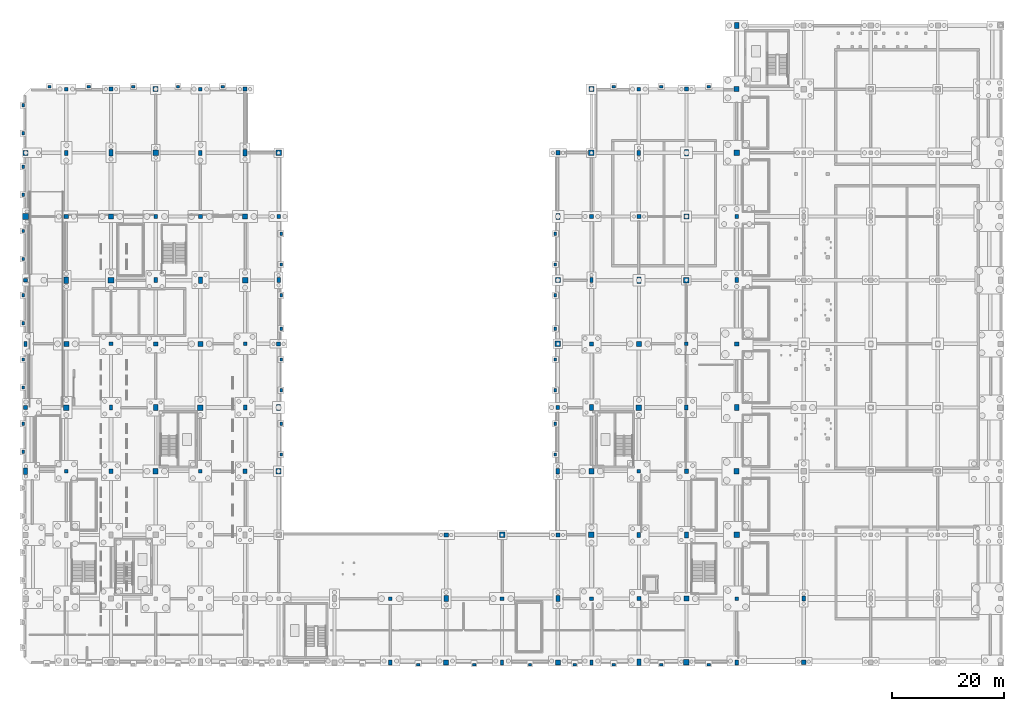
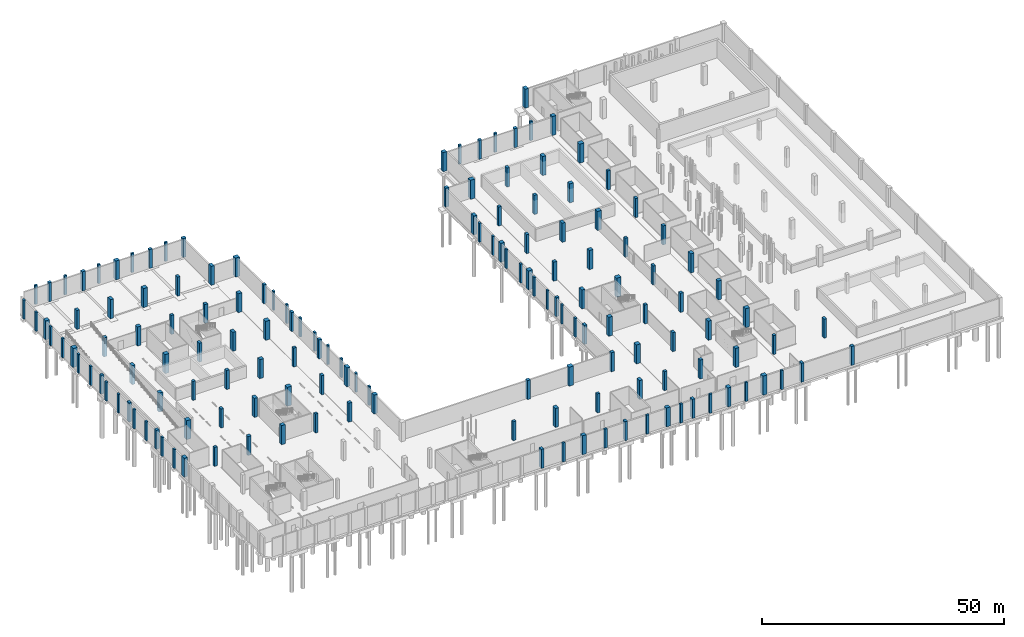
# One storey, part 13 of 34: 150 columns.
"""IFC4 building model written with IfcOpenShell, lengths in metres."""

from ifc_helpers import new_model, si_unit, direction, frame, origin, origin_2d, place, context, subcontext, project, spatial, rectangle, extrude, material, material_profile, profile_set, type_object, element, save


model = new_model("IFC4")

# Units and contexts
model_context = context("Model", 3, precision=1e-05, world=origin(), true_north=direction((0.0, 1.0)))
body_context = subcontext(model_context, "Body", "Model", "MODEL_VIEW")
ifc_project = project(units=[si_unit("LENGTHUNIT", "METRE"), si_unit("AREAUNIT", "SQUARE_METRE"), si_unit("VOLUMEUNIT", "CUBIC_METRE"), si_unit("PLANEANGLEUNIT", "RADIAN"), si_unit("MASSUNIT", "GRAM", prefix="KILO"), si_unit("POWERUNIT", "WATT"), si_unit("THERMODYNAMICTEMPERATUREUNIT", "KELVIN")], contexts=[model_context])

# Site, building, storey
site_placement = place(None, origin())
site = spatial("IfcSite", under=ifc_project, at=site_placement, CompositionType="ELEMENT")
building_placement = place(site_placement, origin())
building = spatial("IfcBuilding", under=site, at=building_placement, Name="Kelmbourne Parkland Aquatics Centre", CompositionType="ELEMENT")
storey_placement = place(building_placement, frame((0.0, 0.0, -4.800048828125)))
storey = spatial("IfcBuildingStorey", under=building, at=storey_placement, Name="B1", CompositionType="ELEMENT", Elevation=-4.800048828125)

# Columns
ifc_material_1 = material(Name="Concrete C40/50", Category="concrete")
ifc_material_profile_1 = material_profile(ifc_material_1, rectangle(XDim=1.0, YDim=1.0, at=origin_2d()), Name="RC 1000x1000")
ifc_profile_set_1 = profile_set([ifc_material_profile_1], Name="Concrete C40/50")
column_type_1 = type_object("IfcColumnType", Name="COL-C01", PredefinedType="COLUMN", material=ifc_profile_set_1)
for number, where, z_axis, x_axis, name in (
    (1, (0.699951171875, 80.60009765625, 0.0), (0.0, 0.0, 1.0), (1.0, 0.0, 0.0), "Structural column A-11 (B1)"),
    (2, (8.0, 46.39990234375, 0.0), (0.0, 0.0, 1.0), (1.0, 0.0, 0.0), "Structural column B-06 (B1)"),
    (3, (16.0, 69.199951171875, 0.0), (0.0, 0.0, 1.0), (1.0, 0.0, 0.0), "Structural column C-10 (B1)"),
    (4, (24.0, 92.0, 0.0), (0.0, 0.0, 1.0), (1.0, 0.0, 0.0), "Structural column D-12 (B1)"),
    (5, (32.0, 46.39990234375, 0.0), (0.0, 0.0, 1.0), (1.0, 0.0, 0.0), "Structural column E-06 (B1)"),
    (6, (40.0, 69.199951171875, 0.0), (0.0, 0.0, 1.0), (1.0, 0.0, 0.0), "Structural column F-10 (B1)"),
    (7, (46.0, 92.0, 0.0), (0.0, 0.0, 1.0), (1.0, 0.0, 0.0), "Structural column G-12 (B1)"),
    (8, (86.0, 23.60009765625, 0.0), (0.0, 0.0, 1.0), (1.0, 0.0, 0.0), "Structural column K-04 (B1)"),
    (9, (96.0, 57.800048828125, 0.0), (0.0, 0.0, 1.0), (1.0, 0.0, 0.0), "Structural column L-08 (B1)"),
    (10, (102.0, 23.60009765625, 0.0), (0.0, 0.0, 1.0), (1.0, 0.0, 0.0), "Structural column M-04 (B1)"),
    (11, (102.0, 92.0, 0.0), (0.0, 0.0, 1.0), (1.0, 0.0, 0.0), "Structural column M-12 (B1)"),
    (12, (110.5, 46.39990234375, 0.0), (0.0, 0.0, 1.0), (1.0, 0.0, 0.0), "Structural column N-06 (B1)"),
    (13, (119.0, 0.800048828125, 0.0), (0.0, 0.0, 1.0), (1.0, 0.0, 0.0), "Structural column O-01 (B1)"),
    (14, (119.0, 69.199951171875, 0.0), (0.0, 0.0, 1.0), (1.0, 0.0, 0.0), "Structural column O-10 (B1)"),
    (15, (128.0, 23.60009765625, 0.0), (0.0, 0.0, 1.0), (1.0, 0.0, 0.0), "Structural column P-04 (B1)"),
    (16, (128.0, 92.0, 0.0), (0.0, 0.0, 1.0), (1.0, 0.0, 0.0), "Structural column P-12 (B1)"),
):
    element("IfcColumn", number, at=place(storey_placement, frame(where, z_axis=z_axis, x_axis=x_axis)), inside=storey, type_object=column_type_1, Name=name, PredefinedType="COLUMN", context=body_context, shape_type="SweptSolid", body=[
        extrude(rectangle(XDim=1.0, YDim=1.0, at=origin_2d()), origin(), (0.0, 0.0, 1.0), 4.800048828125),
    ])
ifc_material_profile_2 = material_profile(ifc_material_1, rectangle(XDim=0.89990234375, YDim=0.89990234375, at=origin_2d()), Name="RC 900x900")
ifc_profile_set_2 = profile_set([ifc_material_profile_2], Name="Concrete C40/50")
column_type_2 = type_object("IfcColumnType", Name="COL-C02", PredefinedType="COLUMN", material=ifc_profile_set_2)
for number, where, z_axis, x_axis, name in (
    (17, (0.699951171875, 92.0, 0.0), (0.0, 0.0, 1.0), (1.0, 0.0, 0.0), "Structural column A-12 (B1)"),
    (18, (8.0, 57.800048828125, 0.0), (0.0, 0.0, 1.0), (1.0, 0.0, 0.0), "Structural column B-08 (B1)"),
    (19, (16.0, 80.60009765625, 0.0), (0.0, 0.0, 1.0), (1.0, 0.0, 0.0), "Structural column C-11 (B1)"),
    (20, (24.0, 35.0, 0.0), (0.0, 0.0, 1.0), (1.0, 0.0, 0.0), "Structural column D-05 (B1)"),
    (21, (24.0, 103.39990234375, 0.0), (0.0, 0.0, 1.0), (1.0, 0.0, 0.0), "Structural column D-13 (B1)"),
    (22, (32.0, 57.800048828125, 0.0), (0.0, 0.0, 1.0), (1.0, 0.0, 0.0), "Structural column E-08 (B1)"),
    (23, (40.0, 80.60009765625, 0.0), (0.0, 0.0, 1.0), (1.0, 0.0, 0.0), "Structural column F-11 (B1)"),
    (24, (46.0, 35.0, 0.0), (0.0, 0.0, 1.0), (1.0, 0.0, 0.0), "Structural column G-05 (B1)"),
    (25, (76.0, 0.800048828125, 0.0), (0.0, 0.0, 1.0), (1.0, 0.0, 0.0), "Structural column J-01 (B1)"),
    (26, (96.0, 0.800048828125, 0.0), (0.0, 0.0, 1.0), (1.0, 0.0, 0.0), "Structural column L-01 (B1)"),
    (27, (96.0, 69.199951171875, 0.0), (0.0, 0.0, 1.0), (1.0, 0.0, 0.0), "Structural column L-10 (B1)"),
    (28, (102.0, 35.0, 0.0), (0.0, 0.0, 1.0), (1.0, 0.0, 0.0), "Structural column M-05 (B1)"),
    (29, (102.0, 103.39990234375, 0.0), (0.0, 0.0, 1.0), (1.0, 0.0, 0.0), "Structural column M-13 (B1)"),
    (30, (110.5, 57.800048828125, 0.0), (0.0, 0.0, 1.0), (1.0, 0.0, 0.0), "Structural column N-08 (B1)"),
    (31, (119.0, 12.199951171875, 0.0), (0.0, 0.0, 1.0), (1.0, 0.0, 0.0), "Structural column O-03 (B1)"),
    (32, (119.0, 80.60009765625, 0.0), (0.0, 0.0, 1.0), (1.0, 0.0, 0.0), "Structural column O-11 (B1)"),
    (33, (128.0, 35.0, 0.0), (0.0, 0.0, 1.0), (1.0, 0.0, 0.0), "Structural column P-05 (B1)"),
    (34, (128.0, 103.39990234375, 0.0), (0.0, 0.0, 1.0), (1.0, 0.0, 0.0), "Structural column P-13 (B1)"),
):
    element("IfcColumn", number, at=place(storey_placement, frame(where, z_axis=z_axis, x_axis=x_axis)), inside=storey, type_object=column_type_2, Name=name, PredefinedType="COLUMN", context=body_context, shape_type="SweptSolid", body=[
        extrude(rectangle(XDim=0.89990234375, YDim=0.89990234375, at=origin_2d()), origin(), (0.0, 0.0, 1.0), 4.800048828125),
    ])
ifc_material_profile_3 = material_profile(ifc_material_1, rectangle(XDim=0.75, YDim=1.10009765625, at=origin_2d()), Name="RC 750x1100")
ifc_profile_set_3 = profile_set([ifc_material_profile_3], Name="Concrete C40/50")
column_type_3 = type_object("IfcColumnType", Name="COL-C03", PredefinedType="COLUMN", material=ifc_profile_set_3)
for number, where, z_axis, x_axis, name in (
    (35, (0.699951171875, 35.0, 0.0), (0.0, 0.0, 1.0), (1.0, 0.0, 0.0), "Structural column A-05 (B1)"),
    (36, (8.0, 69.199951171875, 0.0), (0.0, 0.0, 1.0), (1.0, 0.0, 0.0), "Structural column B-10 (B1)"),
    (37, (16.0, 92.0, 0.0), (0.0, 0.0, 1.0), (1.0, 0.0, 0.0), "Structural column C-12 (B1)"),
    (38, (24.0, 46.39990234375, 0.0), (0.0, 0.0, 1.0), (1.0, 0.0, 0.0), "Structural column D-06 (B1)"),
    (39, (32.0, 69.199951171875, 0.0), (0.0, 0.0, 1.0), (1.0, 0.0, 0.0), "Structural column E-10 (B1)"),
    (40, (40.0, 92.0, 0.0), (0.0, 0.0, 1.0), (1.0, 0.0, 0.0), "Structural column F-12 (B1)"),
    (41, (46.0, 46.39990234375, 0.0), (0.0, 0.0, 1.0), (1.0, 0.0, 0.0), "Structural column G-06 (B1)"),
    (42, (76.0, 12.199951171875, 0.0), (0.0, 0.0, 1.0), (1.0, 0.0, 0.0), "Structural column J-03 (B1)"),
    (43, (96.0, 12.199951171875, 0.0), (0.0, 0.0, 1.0), (1.0, 0.0, 0.0), "Structural column L-03 (B1)"),
    (44, (96.0, 80.60009765625, 0.0), (0.0, 0.0, 1.0), (1.0, 0.0, 0.0), "Structural column L-11 (B1)"),
    (45, (102.0, 46.39990234375, 0.0), (0.0, 0.0, 1.0), (1.0, 0.0, 0.0), "Structural column M-06 (B1)"),
    (46, (110.5, 0.800048828125, 0.0), (0.0, 0.0, 1.0), (1.0, 0.0, 0.0), "Structural column N-01 (B1)"),
    (47, (110.5, 69.199951171875, 0.0), (0.0, 0.0, 1.0), (1.0, 0.0, 0.0), "Structural column N-10 (B1)"),
    (48, (119.0, 23.60009765625, 0.0), (0.0, 0.0, 1.0), (1.0, 0.0, 0.0), "Structural column O-04 (B1)"),
    (49, (119.0, 92.0, 0.0), (0.0, 0.0, 1.0), (1.0, 0.0, 0.0), "Structural column O-12 (B1)"),
    (50, (128.0, 46.39990234375, 0.0), (0.0, 0.0, 1.0), (1.0, 0.0, 0.0), "Structural column P-06 (B1)"),
    (51, (128.0, 114.800048828125, 0.0), (0.0, 0.0, 1.0), (1.0, 0.0, 0.0), "Structural column P-14 (B1)"),
):
    element("IfcColumn", number, at=place(storey_placement, frame(where, z_axis=z_axis, x_axis=x_axis)), inside=storey, type_object=column_type_3, Name=name, PredefinedType="COLUMN", context=body_context, shape_type="SweptSolid", body=[
        extrude(rectangle(XDim=0.75, YDim=1.10009765625, at=origin_2d()), origin(), (0.0, 0.0, 1.0), 4.800048828125),
    ])
ifc_material_profile_4 = material_profile(ifc_material_1, rectangle(XDim=0.75, YDim=0.75, at=origin_2d()), Name="RC 750x750")
ifc_profile_set_4 = profile_set([ifc_material_profile_4], Name="Concrete C40/50")
column_type_4 = type_object("IfcColumnType", Name="COL-C04", PredefinedType="COLUMN", material=ifc_profile_set_4)
for number, where, z_axis, x_axis, name in (
    (52, (0.699951171875, 46.39990234375, 0.0), (0.0, 0.0, 1.0), (1.0, 0.0, 0.0), "Structural column A-06 (B1)"),
    (53, (8.0, 80.60009765625, 0.0), (0.0, 0.0, 1.0), (1.0, 0.0, 0.0), "Structural column B-11 (B1)"),
    (54, (16.0, 35.0, 0.0), (0.0, 0.0, 1.0), (1.0, 0.0, 0.0), "Structural column C-05 (B1)"),
    (55, (16.0, 103.39990234375, 0.0), (0.0, 0.0, 1.0), (1.0, 0.0, 0.0), "Structural column C-13 (B1)"),
    (56, (24.0, 57.800048828125, 0.0), (0.0, 0.0, 1.0), (1.0, 0.0, 0.0), "Structural column D-08 (B1)"),
    (57, (32.0, 80.60009765625, 0.0), (0.0, 0.0, 1.0), (1.0, 0.0, 0.0), "Structural column E-11 (B1)"),
    (58, (40.0, 35.0, 0.0), (0.0, 0.0, 1.0), (1.0, 0.0, 0.0), "Structural column F-05 (B1)"),
    (59, (40.0, 103.39990234375, 0.0), (0.0, 0.0, 1.0), (1.0, 0.0, 0.0), "Structural column F-13 (B1)"),
    (60, (46.0, 57.800048828125, 0.0), (0.0, 0.0, 1.0), (1.0, 0.0, 0.0), "Structural column G-08 (B1)"),
    (61, (76.0, 23.60009765625, 0.0), (0.0, 0.0, 1.0), (1.0, 0.0, 0.0), "Structural column J-04 (B1)"),
    (62, (96.0, 23.60009765625, 0.0), (0.0, 0.0, 1.0), (1.0, 0.0, 0.0), "Structural column L-04 (B1)"),
    (63, (96.0, 92.0, 0.0), (0.0, 0.0, 1.0), (1.0, 0.0, 0.0), "Structural column L-12 (B1)"),
    (64, (102.0, 57.800048828125, 0.0), (0.0, 0.0, 1.0), (1.0, 0.0, 0.0), "Structural column M-08 (B1)"),
    (65, (110.5, 12.199951171875, 0.0), (0.0, 0.0, 1.0), (1.0, 0.0, 0.0), "Structural column N-03 (B1)"),
    (66, (110.5, 80.60009765625, 0.0), (0.0, 0.0, 1.0), (1.0, 0.0, 0.0), "Structural column N-11 (B1)"),
    (67, (119.0, 35.0, 0.0), (0.0, 0.0, 1.0), (1.0, 0.0, 0.0), "Structural column O-05 (B1)"),
    (68, (119.0, 103.39990234375, 0.0), (0.0, 0.0, 1.0), (1.0, 0.0, 0.0), "Structural column O-13 (B1)"),
    (69, (128.0, 57.800048828125, 0.0), (0.0, 0.0, 1.0), (1.0, 0.0, 0.0), "Structural column P-08 (B1)"),
    (70, (140.0, 0.800048828125, 0.0), (0.0, 0.0, 1.0), (1.0, 0.0, 0.0), "Structural column Q-01 (B1)"),
):
    element("IfcColumn", number, at=place(storey_placement, frame(where, z_axis=z_axis, x_axis=x_axis)), inside=storey, type_object=column_type_4, Name=name, PredefinedType="COLUMN", context=body_context, shape_type="SweptSolid", body=[
        extrude(rectangle(XDim=0.75, YDim=0.75, at=origin_2d()), origin(), (0.0, 0.0, 1.0), 4.800048828125),
    ])
ifc_material_profile_5 = material_profile(ifc_material_1, rectangle(XDim=0.60009765625, YDim=0.89990234375, at=origin_2d()), Name="RC 600x900")
ifc_profile_set_5 = profile_set([ifc_material_profile_5], Name="Concrete C40/50")
column_type_5 = type_object("IfcColumnType", Name="COL-C05", PredefinedType="COLUMN", material=ifc_profile_set_5)
for number, where, z_axis, x_axis, name in (
    (71, (0.699951171875, 57.800048828125, 0.0), (0.0, 0.0, 1.0), (1.0, 0.0, 0.0), "Structural column A-08 (B1)"),
    (72, (8.0, 92.0, 0.0), (0.0, 0.0, 1.0), (1.0, 0.0, 0.0), "Structural column B-12 (B1)"),
    (73, (16.0, 46.39990234375, 0.0), (0.0, 0.0, 1.0), (1.0, 0.0, 0.0), "Structural column C-06 (B1)"),
    (74, (24.0, 69.199951171875, 0.0), (0.0, 0.0, 1.0), (1.0, 0.0, 0.0), "Structural column D-10 (B1)"),
    (75, (32.0, 92.0, 0.0), (0.0, 0.0, 1.0), (1.0, 0.0, 0.0), "Structural column E-12 (B1)"),
    (76, (40.0, 46.39990234375, 0.0), (0.0, 0.0, 1.0), (1.0, 0.0, 0.0), "Structural column F-06 (B1)"),
    (77, (46.0, 69.199951171875, 0.0), (0.0, 0.0, 1.0), (1.0, 0.0, 0.0), "Structural column G-10 (B1)"),
    (78, (66.0, 0.800048828125, 0.0), (0.0, 0.0, 1.0), (1.0, 0.0, 0.0), "Structural column I-01 (B1)"),
    (79, (86.0, 0.800048828125, 0.0), (0.0, 0.0, 1.0), (1.0, 0.0, 0.0), "Structural column K-01 (B1)"),
    (80, (96.0, 35.0, 0.0), (0.0, 0.0, 1.0), (1.0, 0.0, 0.0), "Structural column L-05 (B1)"),
    (81, (102.0, 0.800048828125, 0.0), (0.0, 0.0, 1.0), (1.0, 0.0, 0.0), "Structural column M-01 (B1)"),
    (82, (102.0, 69.199951171875, 0.0), (0.0, 0.0, 1.0), (1.0, 0.0, 0.0), "Structural column M-10 (B1)"),
    (83, (110.5, 23.60009765625, 0.0), (0.0, 0.0, 1.0), (1.0, 0.0, 0.0), "Structural column N-04 (B1)"),
    (84, (110.5, 92.0, 0.0), (0.0, 0.0, 1.0), (1.0, 0.0, 0.0), "Structural column N-12 (B1)"),
    (85, (119.0, 46.39990234375, 0.0), (0.0, 0.0, 1.0), (1.0, 0.0, 0.0), "Structural column O-06 (B1)"),
    (86, (128.0, 0.800048828125, 0.0), (0.0, 0.0, 1.0), (1.0, 0.0, 0.0), "Structural column P-01 (B1)"),
    (87, (128.0, 69.199951171875, 0.0), (0.0, 0.0, 1.0), (1.0, 0.0, 0.0), "Structural column P-10 (B1)"),
    (88, (140.0, 12.199951171875, 0.0), (0.0, 0.0, 1.0), (1.0, 0.0, 0.0), "Structural column Q-03 (B1)"),
):
    element("IfcColumn", number, at=place(storey_placement, frame(where, z_axis=z_axis, x_axis=x_axis)), inside=storey, type_object=column_type_5, Name=name, PredefinedType="COLUMN", context=body_context, shape_type="SweptSolid", body=[
        extrude(rectangle(XDim=0.60009765625, YDim=0.89990234375, at=origin_2d()), origin(), (0.0, 0.0, 1.0), 4.800048828125),
    ])
ifc_material_profile_6 = material_profile(ifc_material_1, rectangle(XDim=0.64990234375, YDim=0.64990234375, at=origin_2d()), Name="RC 650x650")
ifc_profile_set_6 = profile_set([ifc_material_profile_6], Name="Concrete C40/50")
column_type_6 = type_object("IfcColumnType", Name="COL-C06", PredefinedType="COLUMN", material=ifc_profile_set_6)
for number, where, z_axis, x_axis, name in (
    (89, (0.699951171875, 69.199951171875, 0.0), (0.0, 0.0, 1.0), (1.0, 0.0, 0.0), "Structural column A-10 (B1)"),
    (90, (8.0, 35.0, 0.0), (0.0, 0.0, 1.0), (1.0, 0.0, 0.0), "Structural column B-05 (B1)"),
    (91, (8.0, 103.39990234375, 0.0), (0.0, 0.0, 1.0), (1.0, 0.0, 0.0), "Structural column B-13 (B1)"),
    (92, (16.0, 57.800048828125, 0.0), (0.0, 0.0, 1.0), (1.0, 0.0, 0.0), "Structural column C-08 (B1)"),
    (93, (24.0, 80.60009765625, 0.0), (0.0, 0.0, 1.0), (1.0, 0.0, 0.0), "Structural column D-11 (B1)"),
    (94, (32.0, 35.0, 0.0), (0.0, 0.0, 1.0), (1.0, 0.0, 0.0), "Structural column E-05 (B1)"),
    (95, (32.0, 103.39990234375, 0.0), (0.0, 0.0, 1.0), (1.0, 0.0, 0.0), "Structural column E-13 (B1)"),
    (96, (40.0, 57.800048828125, 0.0), (0.0, 0.0, 1.0), (1.0, 0.0, 0.0), "Structural column F-08 (B1)"),
    (97, (46.0, 80.60009765625, 0.0), (0.0, 0.0, 1.0), (1.0, 0.0, 0.0), "Structural column G-11 (B1)"),
    (98, (66.0, 12.199951171875, 0.0), (0.0, 0.0, 1.0), (1.0, 0.0, 0.0), "Structural column I-03 (B1)"),
    (99, (86.0, 12.199951171875, 0.0), (0.0, 0.0, 1.0), (1.0, 0.0, 0.0), "Structural column K-03 (B1)"),
    (100, (96.0, 46.39990234375, 0.0), (0.0, 0.0, 1.0), (1.0, 0.0, 0.0), "Structural column L-06 (B1)"),
    (101, (102.0, 12.199951171875, 0.0), (0.0, 0.0, 1.0), (1.0, 0.0, 0.0), "Structural column M-03 (B1)"),
    (102, (102.0, 80.60009765625, 0.0), (0.0, 0.0, 1.0), (1.0, 0.0, 0.0), "Structural column M-11 (B1)"),
    (103, (110.5, 35.0, 0.0), (0.0, 0.0, 1.0), (1.0, 0.0, 0.0), "Structural column N-05 (B1)"),
    (104, (110.5, 103.39990234375, 0.0), (0.0, 0.0, 1.0), (1.0, 0.0, 0.0), "Structural column N-13 (B1)"),
    (105, (119.0, 57.800048828125, 0.0), (0.0, 0.0, 1.0), (1.0, 0.0, 0.0), "Structural column O-08 (B1)"),
    (106, (128.0, 12.199951171875, 0.0), (0.0, 0.0, 1.0), (1.0, 0.0, 0.0), "Structural column P-03 (B1)"),
    (107, (128.0, 80.60009765625, 0.0), (0.0, 0.0, 1.0), (1.0, 0.0, 0.0), "Structural column P-11 (B1)"),
):
    element("IfcColumn", number, at=place(storey_placement, frame(where, z_axis=z_axis, x_axis=x_axis)), inside=storey, type_object=column_type_6, Name=name, PredefinedType="COLUMN", context=body_context, shape_type="SweptSolid", body=[
        extrude(rectangle(XDim=0.64990234375, YDim=0.64990234375, at=origin_2d()), origin(), (0.0, 0.0, 1.0), 4.800048828125),
    ])
ifc_material_2 = material(Name="Clay brick masonry AS 3700 M12", Category="masonry")
ifc_material_profile_7 = material_profile(ifc_material_2, rectangle(XDim=0.449951171875, YDim=0.60009765625, at=origin_2d()), Name="PIL 450x600")
ifc_profile_set_7 = profile_set([ifc_material_profile_7], Name="Clay brick masonry AS 3700 M12")
column_type_7 = type_object("IfcColumnType", Name="PIL-PL2", PredefinedType="PILASTER", material=ifc_profile_set_7)
for number, where, z_axis, x_axis, name in (
    (108, (0.260009765625, 38.5, 0.0), (0.0, 0.0, 1.0), (1.0, 0.0, 0.0), "Basement brick buttress pier W-007"),
    (109, (0.260009765625, 43.5, 0.0), (0.0, 0.0, 1.0), (1.0, 0.0, 0.0), "Basement brick buttress pier W-008"),
    (110, (0.260009765625, 50.0, 0.0), (0.0, 0.0, 1.0), (1.0, 0.0, 0.0), "Basement brick buttress pier W-009"),
    (111, (0.260009765625, 55.0, 0.0), (0.0, 0.0, 1.0), (1.0, 0.0, 0.0), "Basement brick buttress pier W-010"),
    (112, (0.260009765625, 61.5, 0.0), (0.0, 0.0, 1.0), (1.0, 0.0, 0.0), "Basement brick buttress pier W-011"),
    (113, (0.260009765625, 66.5, 0.0), (0.0, 0.0, 1.0), (1.0, 0.0, 0.0), "Basement brick buttress pier W-012"),
    (114, (0.260009765625, 73.0, 0.0), (0.0, 0.0, 1.0), (1.0, 0.0, 0.0), "Basement brick buttress pier W-013"),
    (115, (0.260009765625, 78.0, 0.0), (0.0, 0.0, 1.0), (1.0, 0.0, 0.0), "Basement brick buttress pier W-014"),
    (116, (0.260009765625, 84.5, 0.0), (0.0, 0.0, 1.0), (1.0, 0.0, 0.0), "Basement brick buttress pier W-015"),
    (117, (0.260009765625, 89.5, 0.0), (0.0, 0.0, 1.0), (1.0, 0.0, 0.0), "Basement brick buttress pier W-016"),
    (118, (0.260009765625, 95.5, 0.0), (0.0, 0.0, 1.0), (1.0, 0.0, 0.0), "Basement brick buttress pier W-017"),
    (119, (0.260009765625, 100.5, 0.0), (0.0, 0.0, 1.0), (1.0, 0.0, 0.0), "Basement brick buttress pier W-018"),
    (120, (71.0, 0.35009765625, 0.0), (0.0, 0.0, 1.0), (0.0, 1.0, 0.0), "Basement brick buttress pier S-027"),
    (121, (81.0, 0.35009765625, 0.0), (0.0, 0.0, 1.0), (0.0, 1.0, 0.0), "Basement brick buttress pier S-028"),
    (122, (91.0, 0.35009765625, 0.0), (0.0, 0.0, 1.0), (0.0, 1.0, 0.0), "Basement brick buttress pier S-029"),
    (123, (99.0, 0.35009765625, 0.0), (0.0, 0.0, 1.0), (0.0, 1.0, 0.0), "Basement brick buttress pier S-030"),
    (124, (106.0, 0.35009765625, 0.0), (0.0, 0.0, 1.0), (0.0, 1.0, 0.0), "Basement brick buttress pier S-031"),
    (125, (114.5, 0.35009765625, 0.0), (0.0, 0.0, 1.0), (0.0, 1.0, 0.0), "Basement brick buttress pier S-032"),
    (126, (123.0, 0.35009765625, 0.0), (0.0, 0.0, 1.0), (0.0, 1.0, 0.0), "Basement brick buttress pier S-033"),
    (127, (46.449951171875, 38.0, 0.0), (0.0, 0.0, 1.0), (1.0, 0.0, 0.0), "Basement brick buttress pier CW-034"),
    (128, (46.449951171875, 43.5, 0.0), (0.0, 0.0, 1.0), (1.0, 0.0, 0.0), "Basement brick buttress pier CW-035"),
    (129, (46.449951171875, 49.5, 0.0), (0.0, 0.0, 1.0), (1.0, 0.0, 0.0), "Basement brick buttress pier CW-036"),
    (130, (46.449951171875, 55.0, 0.0), (0.0, 0.0, 1.0), (1.0, 0.0, 0.0), "Basement brick buttress pier CW-037"),
    (131, (46.449951171875, 60.5, 0.0), (0.0, 0.0, 1.0), (1.0, 0.0, 0.0), "Basement brick buttress pier CW-038"),
    (132, (46.449951171875, 66.5, 0.0), (0.0, 0.0, 1.0), (1.0, 0.0, 0.0), "Basement brick buttress pier CW-039"),
    (133, (46.449951171875, 72.0, 0.0), (0.0, 0.0, 1.0), (1.0, 0.0, 0.0), "Basement brick buttress pier CW-040"),
    (134, (46.449951171875, 77.5, 0.0), (0.0, 0.0, 1.0), (1.0, 0.0, 0.0), "Basement brick buttress pier CW-041"),
    (135, (95.550048828125, 38.0, 0.0), (0.0, 0.0, 1.0), (1.0, 0.0, 0.0), "Basement brick buttress pier CE-042"),
    (136, (95.550048828125, 43.5, 0.0), (0.0, 0.0, 1.0), (1.0, 0.0, 0.0), "Basement brick buttress pier CE-043"),
    (137, (95.550048828125, 49.5, 0.0), (0.0, 0.0, 1.0), (1.0, 0.0, 0.0), "Basement brick buttress pier CE-044"),
    (138, (95.550048828125, 55.0, 0.0), (0.0, 0.0, 1.0), (1.0, 0.0, 0.0), "Basement brick buttress pier CE-045"),
    (139, (95.550048828125, 60.5, 0.0), (0.0, 0.0, 1.0), (1.0, 0.0, 0.0), "Basement brick buttress pier CE-046"),
    (140, (95.550048828125, 66.5, 0.0), (0.0, 0.0, 1.0), (1.0, 0.0, 0.0), "Basement brick buttress pier CE-047"),
    (141, (95.550048828125, 72.0, 0.0), (0.0, 0.0, 1.0), (1.0, 0.0, 0.0), "Basement brick buttress pier CE-048"),
    (142, (95.550048828125, 77.5, 0.0), (0.0, 0.0, 1.0), (1.0, 0.0, 0.0), "Basement brick buttress pier CE-049"),
    (143, (5.0, 103.85009765625, 0.0), (0.0, 0.0, 1.0), (0.0, 1.0, 0.0), "Basement brick buttress pier NV5-050"),
    (144, (12.0, 103.85009765625, 0.0), (0.0, 0.0, 1.0), (0.0, 1.0, 0.0), "Basement brick buttress pier NV5-051"),
    (145, (20.0, 103.85009765625, 0.0), (0.0, 0.0, 1.0), (0.0, 1.0, 0.0), "Basement brick buttress pier NV5-052"),
    (146, (28.0, 103.85009765625, 0.0), (0.0, 0.0, 1.0), (0.0, 1.0, 0.0), "Basement brick buttress pier NV5-053"),
    (147, (36.0, 103.85009765625, 0.0), (0.0, 0.0, 1.0), (0.0, 1.0, 0.0), "Basement brick buttress pier NV5-054"),
    (148, (106.0, 103.85009765625, 0.0), (0.0, 0.0, 1.0), (0.0, 1.0, 0.0), "Basement brick buttress pier NV4-055"),
    (149, (114.5, 103.85009765625, 0.0), (0.0, 0.0, 1.0), (0.0, 1.0, 0.0), "Basement brick buttress pier NV4-056"),
    (150, (123.0, 103.85009765625, 0.0), (0.0, 0.0, 1.0), (0.0, 1.0, 0.0), "Basement brick buttress pier NV4-057"),
):
    element("IfcColumn", number, at=place(storey_placement, frame(where, z_axis=z_axis, x_axis=x_axis)), inside=storey, type_object=column_type_7, Name=name, PredefinedType="PILASTER", context=body_context, shape_type="SweptSolid", body=[
        extrude(rectangle(XDim=0.449951171875, YDim=0.60009765625, at=origin_2d()), origin(), (0.0, 0.0, 1.0), 4.800048828125),
    ])

save(model, "model.ifc")
